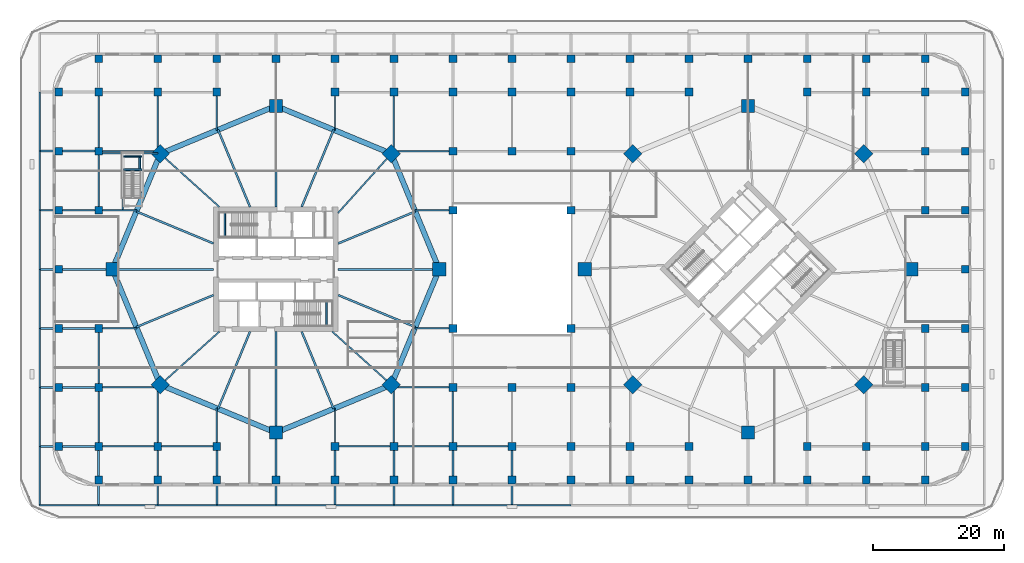
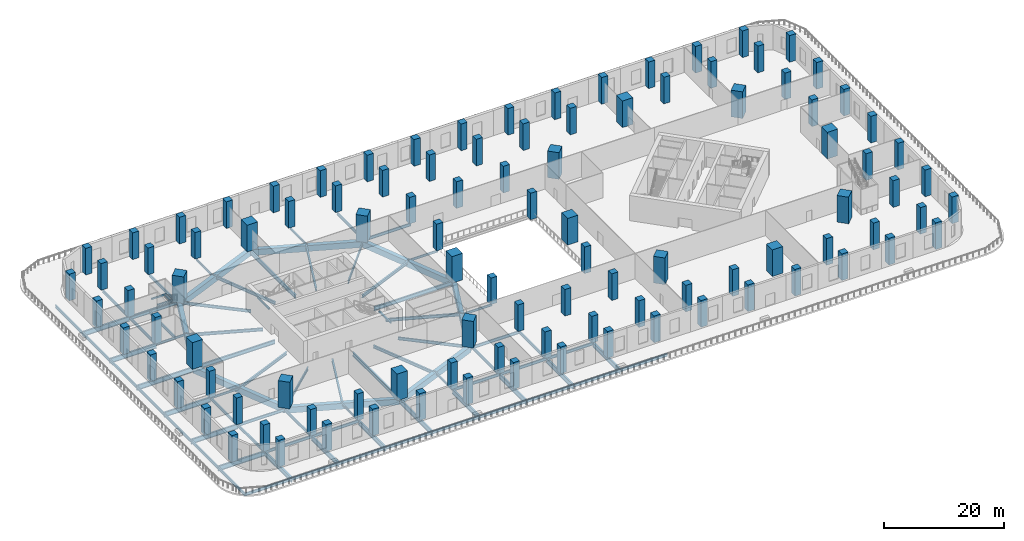
# One storey, part 1 of 20: 104 columns, 87 beams.
"""IFC4 building model written with IfcOpenShell, lengths in metres."""

from ifc_helpers import new_model, si_unit, direction, frame, origin, origin_2d, place, context, subcontext, project, spatial, rectangle, hollow_rectangle, i_section, extrude, material, material_profile, profile_set, type_object, element, save


model = new_model("IFC4")

# Units and contexts
model_context = context("Model", 3, precision=1e-05, world=origin(), true_north=direction((0.0, 1.0)))
body_context = subcontext(model_context, "Body", "Model", "MODEL_VIEW")
ifc_project = project(units=[si_unit("LENGTHUNIT", "METRE"), si_unit("AREAUNIT", "SQUARE_METRE"), si_unit("VOLUMEUNIT", "CUBIC_METRE"), si_unit("PLANEANGLEUNIT", "RADIAN"), si_unit("MASSUNIT", "GRAM", prefix="KILO")], contexts=[model_context])

# Site, building, storey
site_placement = place(None, origin())
site = spatial("IfcSite", under=ifc_project, at=site_placement, CompositionType="ELEMENT")
building_placement = place(site_placement, origin())
building = spatial("IfcBuilding", under=site, at=building_placement, Name="Ogive Gate Towers", CompositionType="ELEMENT")
storey_placement = place(building_placement, frame((0.0, 0.0, 7.199951171875)))
storey = spatial("IfcBuildingStorey", under=building, at=storey_placement, Name="L01", CompositionType="ELEMENT", Elevation=7.199951171875)

# Columns
ifc_material_1 = material(Name="Concrete C50/60", Category="concrete")
ifc_material_profile_1 = material_profile(ifc_material_1, rectangle(XDim=1.199951171875, YDim=1.199951171875, at=origin_2d()), Name="RC 1200x1200")
ifc_profile_set_1 = profile_set([ifc_material_profile_1], Name="Concrete C50/60")
column_type_1 = type_object("IfcColumnType", Name="Column RC 1200x1200", PredefinedType="COLUMN", material=ifc_profile_set_1)
for number, where, z_axis, x_axis, name in (
    (1, (-69.10009765625, -18.0, 0.0), (0.0, 0.0, 1.0), (1.0, 0.0, 0.0), "PD/L01/SCL001"),
    (2, (-69.10009765625, -9.0, 0.0), (0.0, 0.0, 1.0), (1.0, 0.0, 0.0), "PD/L01/SCL002"),
    (3, (-69.10009765625, 0.0, 0.0), (0.0, 0.0, 1.0), (1.0, 0.0, 0.0), "PD/L01/SCL003"),
    (4, (-69.10009765625, 9.0, 0.0), (0.0, 0.0, 1.0), (1.0, 0.0, 0.0), "PD/L01/SCL004"),
    (5, (-69.10009765625, 18.0, 0.0), (0.0, 0.0, 1.0), (1.0, 0.0, 0.0), "PD/L01/SCL005"),
    (6, (-69.095703125, -27.0, 0.0), (0.0, 0.0, 1.0), (1.0, 0.0, 0.0), "PD/L01/SCL006"),
    (7, (-69.095703125, 27.0, 0.0), (0.0, 0.0, 1.0), (1.0, 0.0, 0.0), "PD/L01/SCL007"),
    (8, (-63.0, -32.10009765625, 0.0), (0.0, 0.0, 1.0), (1.0, 0.0, 0.0), "PD/L01/SCL008"),
    (9, (-63.0, -27.0, 0.0), (0.0, 0.0, 1.0), (1.0, 0.0, 0.0), "PD/L01/SCL009"),
    (10, (-63.0, -18.0, 0.0), (0.0, 0.0, 1.0), (1.0, 0.0, 0.0), "PD/L01/SCL010"),
    (11, (-63.0, -9.0, 0.0), (0.0, 0.0, 1.0), (1.0, 0.0, 0.0), "PD/L01/SCL011"),
    (12, (-63.0, 9.0, 0.0), (0.0, 0.0, 1.0), (1.0, 0.0, 0.0), "PD/L01/SCL012"),
    (13, (-63.0, 18.0, 0.0), (0.0, 0.0, 1.0), (1.0, 0.0, 0.0), "PD/L01/SCL013"),
    (14, (-63.0, 27.0, 0.0), (0.0, 0.0, 1.0), (1.0, 0.0, 0.0), "PD/L01/SCL014"),
    (15, (-63.0, 32.10009765625, 0.0), (0.0, 0.0, 1.0), (1.0, 0.0, 0.0), "PD/L01/SCL015"),
    (16, (-54.0, -32.10009765625, 0.0), (0.0, 0.0, 1.0), (1.0, 0.0, 0.0), "PD/L01/SCL016"),
    (17, (-54.0, -27.0, 0.0), (0.0, 0.0, 1.0), (1.0, 0.0, 0.0), "PD/L01/SCL017"),
    (18, (-54.0, 27.0, 0.0), (0.0, 0.0, 1.0), (1.0, 0.0, 0.0), "PD/L01/SCL018"),
    (19, (-54.0, 32.10009765625, 0.0), (0.0, 0.0, 1.0), (1.0, 0.0, 0.0), "PD/L01/SCL019"),
    (20, (-45.0, -32.10009765625, 0.0), (0.0, 0.0, 1.0), (1.0, 0.0, 0.0), "PD/L01/SCL020"),
    (21, (-45.0, -27.0, 0.0), (0.0, 0.0, 1.0), (1.0, 0.0, 0.0), "PD/L01/SCL021"),
    (22, (-45.0, 27.0, 0.0), (0.0, 0.0, 1.0), (1.0, 0.0, 0.0), "PD/L01/SCL022"),
    (23, (-45.0, 32.10009765625, 0.0), (0.0, 0.0, 1.0), (1.0, 0.0, 0.0), "PD/L01/SCL023"),
    (24, (-36.0, -32.10009765625, 0.0), (0.0, 0.0, 1.0), (1.0, 0.0, 0.0), "PD/L01/SCL024"),
    (25, (-36.0, 32.10009765625, 0.0), (0.0, 0.0, 1.0), (1.0, 0.0, 0.0), "PD/L01/SCL025"),
    (26, (-27.0, -32.10009765625, 0.0), (0.0, 0.0, 1.0), (1.0, 0.0, 0.0), "PD/L01/SCL026"),
    (27, (-27.0, -27.0, 0.0), (0.0, 0.0, 1.0), (1.0, 0.0, 0.0), "PD/L01/SCL027"),
    (28, (-27.0, 27.0, 0.0), (0.0, 0.0, 1.0), (1.0, 0.0, 0.0), "PD/L01/SCL028"),
    (29, (-27.0, 32.10009765625, 0.0), (0.0, 0.0, 1.0), (1.0, 0.0, 0.0), "PD/L01/SCL029"),
    (30, (-18.0, -32.10009765625, 0.0), (0.0, 0.0, 1.0), (1.0, 0.0, 0.0), "PD/L01/SCL030"),
    (31, (-18.0, -27.0, 0.0), (0.0, 0.0, 1.0), (1.0, 0.0, 0.0), "PD/L01/SCL031"),
    (32, (-18.0, 27.0, 0.0), (0.0, 0.0, 1.0), (1.0, 0.0, 0.0), "PD/L01/SCL032"),
    (33, (-18.0, 32.10009765625, 0.0), (0.0, 0.0, 1.0), (1.0, 0.0, 0.0), "PD/L01/SCL033"),
    (34, (-9.0, -32.10009765625, 0.0), (0.0, 0.0, 1.0), (1.0, 0.0, 0.0), "PD/L01/SCL034"),
    (35, (-9.0, -27.0, 0.0), (0.0, 0.0, 1.0), (1.0, 0.0, 0.0), "PD/L01/SCL035"),
    (36, (-9.0, -18.0, 0.0), (0.0, 0.0, 1.0), (1.0, 0.0, 0.0), "PD/L01/SCL036"),
    (37, (-9.0, -9.0, 0.0), (0.0, 0.0, 1.0), (1.0, 0.0, 0.0), "PD/L01/SCL037"),
    (38, (-9.0, 9.0, 0.0), (0.0, 0.0, 1.0), (1.0, 0.0, 0.0), "PD/L01/SCL038"),
    (39, (-9.0, 18.0, 0.0), (0.0, 0.0, 1.0), (1.0, 0.0, 0.0), "PD/L01/SCL039"),
    (40, (-9.0, 27.0, 0.0), (0.0, 0.0, 1.0), (1.0, 0.0, 0.0), "PD/L01/SCL040"),
    (41, (-9.0, 32.10009765625, 0.0), (0.0, 0.0, 1.0), (1.0, 0.0, 0.0), "PD/L01/SCL041"),
    (42, (0.0, -32.10009765625, 0.0), (0.0, 0.0, 1.0), (1.0, 0.0, 0.0), "PD/L01/SCL042"),
    (43, (0.0, -27.0, 0.0), (0.0, 0.0, 1.0), (1.0, 0.0, 0.0), "PD/L01/SCL043"),
    (44, (0.0, -18.0, 0.0), (0.0, 0.0, 1.0), (1.0, 0.0, 0.0), "PD/L01/SCL044"),
    (45, (0.0, 18.0, 0.0), (0.0, 0.0, 1.0), (1.0, 0.0, 0.0), "PD/L01/SCL045"),
    (46, (0.0, 27.0, 0.0), (0.0, 0.0, 1.0), (1.0, 0.0, 0.0), "PD/L01/SCL046"),
    (47, (0.0, 32.10009765625, 0.0), (0.0, 0.0, 1.0), (1.0, 0.0, 0.0), "PD/L01/SCL047"),
    (48, (9.0, -32.10009765625, 0.0), (0.0, 0.0, 1.0), (1.0, 0.0, 0.0), "PD/L01/SCL048"),
    (49, (9.0, -27.0, 0.0), (0.0, 0.0, 1.0), (1.0, 0.0, 0.0), "PD/L01/SCL049"),
    (50, (9.0, -18.0, 0.0), (0.0, 0.0, 1.0), (1.0, 0.0, 0.0), "PD/L01/SCL050"),
    (51, (9.0, -9.0, 0.0), (0.0, 0.0, 1.0), (1.0, 0.0, 0.0), "PD/L01/SCL051"),
    (52, (9.0, 9.0, 0.0), (0.0, 0.0, 1.0), (1.0, 0.0, 0.0), "PD/L01/SCL052"),
    (53, (9.0, 18.0, 0.0), (0.0, 0.0, 1.0), (1.0, 0.0, 0.0), "PD/L01/SCL053"),
    (54, (9.0, 27.0, 0.0), (0.0, 0.0, 1.0), (1.0, 0.0, 0.0), "PD/L01/SCL054"),
    (55, (9.0, 32.10009765625, 0.0), (0.0, 0.0, 1.0), (1.0, 0.0, 0.0), "PD/L01/SCL055"),
    (56, (18.0, -32.10009765625, 0.0), (0.0, 0.0, 1.0), (1.0, 0.0, 0.0), "PD/L01/SCL056"),
    (57, (18.0, -27.0, 0.0), (0.0, 0.0, 1.0), (1.0, 0.0, 0.0), "PD/L01/SCL057"),
    (58, (18.0, 27.0, 0.0), (0.0, 0.0, 1.0), (1.0, 0.0, 0.0), "PD/L01/SCL058"),
    (59, (18.0, 32.10009765625, 0.0), (0.0, 0.0, 1.0), (1.0, 0.0, 0.0), "PD/L01/SCL059"),
    (60, (27.0, -32.10009765625, 0.0), (0.0, 0.0, 1.0), (1.0, 0.0, 0.0), "PD/L01/SCL060"),
    (61, (27.0, -27.0, 0.0), (0.0, 0.0, 1.0), (1.0, 0.0, 0.0), "PD/L01/SCL061"),
    (62, (27.0, 27.0, 0.0), (0.0, 0.0, 1.0), (1.0, 0.0, 0.0), "PD/L01/SCL062"),
    (63, (27.0, 32.10009765625, 0.0), (0.0, 0.0, 1.0), (1.0, 0.0, 0.0), "PD/L01/SCL063"),
    (64, (36.0, -32.10009765625, 0.0), (0.0, 0.0, 1.0), (1.0, 0.0, 0.0), "PD/L01/SCL064"),
    (65, (36.0, 32.10009765625, 0.0), (0.0, 0.0, 1.0), (1.0, 0.0, 0.0), "PD/L01/SCL065"),
    (66, (45.0, -32.10009765625, 0.0), (0.0, 0.0, 1.0), (1.0, 0.0, 0.0), "PD/L01/SCL066"),
    (67, (45.0, -27.0, 0.0), (0.0, 0.0, 1.0), (1.0, 0.0, 0.0), "PD/L01/SCL067"),
    (68, (45.0, 27.0, 0.0), (0.0, 0.0, 1.0), (1.0, 0.0, 0.0), "PD/L01/SCL068"),
    (69, (45.0, 32.10009765625, 0.0), (0.0, 0.0, 1.0), (1.0, 0.0, 0.0), "PD/L01/SCL069"),
    (70, (54.0, -32.10009765625, 0.0), (0.0, 0.0, 1.0), (1.0, 0.0, 0.0), "PD/L01/SCL070"),
    (71, (54.0, -27.0, 0.0), (0.0, 0.0, 1.0), (1.0, 0.0, 0.0), "PD/L01/SCL071"),
    (72, (54.0, 27.0, 0.0), (0.0, 0.0, 1.0), (1.0, 0.0, 0.0), "PD/L01/SCL072"),
    (73, (54.0, 32.10009765625, 0.0), (0.0, 0.0, 1.0), (1.0, 0.0, 0.0), "PD/L01/SCL073"),
    (74, (63.0, -32.10009765625, 0.0), (0.0, 0.0, 1.0), (1.0, 0.0, 0.0), "PD/L01/SCL074"),
    (75, (63.0, -27.0, 0.0), (0.0, 0.0, 1.0), (1.0, 0.0, 0.0), "PD/L01/SCL075"),
    (76, (63.0, -18.0, 0.0), (0.0, 0.0, 1.0), (1.0, 0.0, 0.0), "PD/L01/SCL076"),
    (77, (63.0, -9.0, 0.0), (0.0, 0.0, 1.0), (1.0, 0.0, 0.0), "PD/L01/SCL077"),
    (78, (63.0, 9.0, 0.0), (0.0, 0.0, 1.0), (1.0, 0.0, 0.0), "PD/L01/SCL078"),
    (79, (63.0, 18.0, 0.0), (0.0, 0.0, 1.0), (1.0, 0.0, 0.0), "PD/L01/SCL079"),
    (80, (63.0, 27.0, 0.0), (0.0, 0.0, 1.0), (1.0, 0.0, 0.0), "PD/L01/SCL080"),
    (81, (63.0, 32.10009765625, 0.0), (0.0, 0.0, 1.0), (1.0, 0.0, 0.0), "PD/L01/SCL081"),
    (82, (69.095703125, -27.0, 0.0), (0.0, 0.0, 1.0), (1.0, 0.0, 0.0), "PD/L01/SCL082"),
    (83, (69.095703125, 27.0, 0.0), (0.0, 0.0, 1.0), (1.0, 0.0, 0.0), "PD/L01/SCL083"),
    (84, (69.10009765625, -18.0, 0.0), (0.0, 0.0, 1.0), (1.0, 0.0, 0.0), "PD/L01/SCL084"),
    (85, (69.10009765625, -9.0, 0.0), (0.0, 0.0, 1.0), (1.0, 0.0, 0.0), "PD/L01/SCL085"),
    (86, (69.10009765625, 0.0, 0.0), (0.0, 0.0, 1.0), (1.0, 0.0, 0.0), "PD/L01/SCL086"),
    (87, (69.10009765625, 9.0, 0.0), (0.0, 0.0, 1.0), (1.0, 0.0, 0.0), "PD/L01/SCL087"),
    (88, (69.10009765625, 18.0, 0.0), (0.0, 0.0, 1.0), (1.0, 0.0, 0.0), "PD/L01/SCL088"),
):
    element("IfcColumn", number, at=place(storey_placement, frame(where, z_axis=z_axis, x_axis=x_axis)), inside=storey, type_object=column_type_1, Name=name, PredefinedType="COLUMN", context=body_context, shape_type="SweptSolid", body=[
        extrude(rectangle(XDim=1.199951171875, YDim=1.199951171875, at=origin_2d()), origin(), (0.0, 0.0, 1.0), 5.400146484375),
    ])
ifc_material_2 = material(Name="Concrete C70/85", Category="concrete")
ifc_material_profile_2 = material_profile(ifc_material_2, rectangle(XDim=2.0, YDim=2.0, at=origin_2d()), Name="RC 2000x2000")
ifc_profile_set_2 = profile_set([ifc_material_profile_2], Name="Concrete C70/85")
column_type_2 = type_object("IfcColumnType", Name="Mega column 2000 x 2000", PredefinedType="COLUMN", material=ifc_profile_set_2)
for number, where, z_axis, x_axis, name in (
    (89, (-11.090087890625, 0.0, 0.0), (0.0, 0.0, 1.0), (1.0, 0.0, 0.0), "T1/L01/SCL001"),
    (90, (-18.385986328125, 17.614013671875, 0.0), (0.0, 0.0, 1.0), (0.707106781187, 0.707106781187, 0.0), "T1/L01/SCL002"),
    (91, (-36.0, 24.909912109375, 0.0), (0.0, 0.0, 1.0), (0.0, 1.0, 0.0), "T1/L01/SCL003"),
    (92, (-53.614013671875, 17.614013671875, 0.0), (0.0, 0.0, 1.0), (-0.707106781187, 0.707106781187, 0.0), "T1/L01/SCL004"),
    (93, (-60.909912109375, 0.0, 0.0), (0.0, 0.0, 1.0), (-1.0, 0.0, 0.0), "T1/L01/SCL005"),
    (94, (-53.614013671875, -17.614013671875, 0.0), (0.0, 0.0, 1.0), (-0.707106781187, -0.707106781187, 0.0), "T1/L01/SCL006"),
    (95, (-36.0, -24.909912109375, 0.0), (0.0, 0.0, 1.0), (0.0, -1.0, 0.0), "T1/L01/SCL007"),
    (96, (-18.385986328125, -17.614013671875, 0.0), (0.0, 0.0, 1.0), (0.707106781187, -0.707106781187, 0.0), "T1/L01/SCL008"),
    (97, (60.909912109375, 0.0, 0.0), (0.0, 0.0, 1.0), (1.0, 0.0, 0.0), "T2/L01/SCL001"),
    (98, (53.614013671875, 17.614013671875, 0.0), (0.0, 0.0, 1.0), (0.707106781187, 0.707106781187, 0.0), "T2/L01/SCL002"),
    (99, (36.0, 24.909912109375, 0.0), (0.0, 0.0, 1.0), (0.0, 1.0, 0.0), "T2/L01/SCL003"),
    (100, (18.385986328125, 17.614013671875, 0.0), (0.0, 0.0, 1.0), (-0.707106781187, 0.707106781187, 0.0), "T2/L01/SCL004"),
    (101, (11.090087890625, 0.0, 0.0), (0.0, 0.0, 1.0), (-1.0, 0.0, 0.0), "T2/L01/SCL005"),
    (102, (18.385986328125, -17.614013671875, 0.0), (0.0, 0.0, 1.0), (-0.707106781187, -0.707106781187, 0.0), "T2/L01/SCL006"),
    (103, (36.0, -24.909912109375, 0.0), (0.0, 0.0, 1.0), (0.0, -1.0, 0.0), "T2/L01/SCL007"),
    (104, (53.614013671875, -17.614013671875, 0.0), (0.0, 0.0, 1.0), (0.707106781187, -0.707106781187, 0.0), "T2/L01/SCL008"),
):
    element("IfcColumn", number, at=place(storey_placement, frame(where, z_axis=z_axis, x_axis=x_axis)), inside=storey, type_object=column_type_2, Name=name, PredefinedType="COLUMN", context=body_context, shape_type="SweptSolid", body=[
        extrude(rectangle(XDim=2.0, YDim=2.0, at=origin_2d()), origin(), (0.0, 0.0, 1.0), 5.400146484375),
    ])

# Beams
ifc_material_3 = material(Name="Steel SM460", Category="steel")
ifc_material_profile_3 = material_profile(ifc_material_3, hollow_rectangle(XDim=0.800048828125, YDim=1.199951171875, WallThickness=0.050048828125, at=origin_2d()), Name="BX 1200x800x50")
ifc_profile_set_3 = profile_set([ifc_material_profile_3], Name="Steel SM460")
beam_type_1 = type_object("IfcBeamType", Name="Edge girder BX 1200x800x50", PredefinedType="BEAM", material=ifc_profile_set_3)
for number, where, z_axis, x_axis, name in (
    (105, (-53.614013671875, -17.614013671875, -0.89990234375), (0.923880736283, -0.382680526191, 0.0), (0.382680526191, 0.923880736283, 0.0), "T1/L01/SBM017"),
    (106, (-36.0, -24.909912109375, -0.89990234375), (0.923880736283, 0.382680526191, 0.0), (-0.382680526191, 0.923880736283, 0.0), "T1/L01/SBM018"),
    (107, (-18.385986328125, -17.614013671875, -0.89990234375), (0.382680526191, 0.923880736283, 0.0), (-0.923880736283, 0.382680526191, 0.0), "T1/L01/SBM019"),
    (108, (-11.090087890625, 0.0, -0.89990234375), (-0.382680526191, 0.923880736283, 0.0), (-0.923880736283, -0.382680526191, 0.0), "T1/L01/SBM020"),
    (109, (-18.385986328125, 17.614013671875, -0.89990234375), (-0.923880736283, 0.382680526191, 0.0), (-0.382680526191, -0.923880736283, 0.0), "T1/L01/SBM021"),
    (110, (-36.0, 24.909912109375, -0.89990234375), (-0.923880736283, -0.382680526191, 0.0), (0.382680526191, -0.923880736283, 0.0), "T1/L01/SBM022"),
    (111, (-53.614013671875, 17.614013671875, -0.89990234375), (-0.382680526191, -0.923880736283, 0.0), (0.923880736283, -0.382680526191, 0.0), "T1/L01/SBM023"),
    (112, (-60.909912109375, 0.0, -0.89990234375), (0.382680526191, -0.923880736283, 0.0), (0.923880736283, 0.382680526191, 0.0), "T1/L01/SBM024"),
):
    element("IfcBeam", number, at=place(storey_placement, frame(where, z_axis=z_axis, x_axis=x_axis)), inside=storey, type_object=beam_type_1, Name=name, PredefinedType="BEAM", context=body_context, shape_type="SweptSolid", body=[
        extrude(hollow_rectangle(XDim=0.800048828125, YDim=1.199951171875, WallThickness=0.050048828125, at=origin_2d()), origin(), (0.0, 0.0, 1.0), 19.065185546875),
    ])
ifc_material_4 = material(Name="Steel SM355", Category="steel")
ifc_material_profile_4 = material_profile(ifc_material_4, i_section(OverallWidth=0.18994140625, OverallDepth=0.449951171875, WebThickness=0.009521484375, FlangeThickness=0.0146484375, FilletRadius=0.02099609375, at=origin_2d()), Name="IPE 450")
ifc_profile_set_4 = profile_set([ifc_material_profile_4], Name="Steel SM355")
beam_type_2 = type_object("IfcBeamType", Name="Floor beam IPE 450", PredefinedType="BEAM", material=ifc_profile_set_4)
for number, where, z_axis, x_axis, name in (
    (113, (-63.0, -9.0, -0.52490234375), (1.0, 0.0, 0.0), (0.0, 1.0, 0.0), "PD/L01/SBM151"),
    (114, (-63.0, 9.0, -0.52490234375), (1.0, 0.0, 0.0), (0.0, 1.0, 0.0), "PD/L01/SBM152"),
    (115, (-45.0, -27.0, -0.52490234375), (0.0, 1.0, 0.0), (-1.0, 0.0, 0.0), "PD/L01/SBM153"),
    (116, (-45.0, 27.0, -0.52490234375), (0.0, -1.0, 0.0), (1.0, 0.0, 0.0), "PD/L01/SBM154"),
    (117, (-27.0, -27.0, -0.52490234375), (0.0, 1.0, 0.0), (-1.0, 0.0, 0.0), "PD/L01/SBM155"),
    (118, (-27.0, 27.0, -0.52490234375), (0.0, -1.0, 0.0), (1.0, 0.0, 0.0), "PD/L01/SBM156"),
    (119, (-9.0, -9.0, -0.52490234375), (-1.0, 0.0, 0.0), (0.0, -1.0, 0.0), "PD/L01/SBM157"),
    (120, (-9.0, 9.0, -0.52490234375), (-1.0, 0.0, 0.0), (0.0, -1.0, 0.0), "PD/L01/SBM158"),
):
    element("IfcBeam", number, at=place(storey_placement, frame(where, z_axis=z_axis, x_axis=x_axis)), inside=storey, type_object=beam_type_2, Name=name, PredefinedType="BEAM", context=body_context, shape_type="SweptSolid", body=[
        extrude(i_section(OverallWidth=0.18994140625, OverallDepth=0.449951171875, WebThickness=0.009521484375, FlangeThickness=0.0146484375, FilletRadius=0.02099609375, at=origin_2d()), origin(), (0.0, 0.0, 1.0), 5.81787109375),
    ])
ifc_material_profile_5 = material_profile(ifc_material_4, i_section(OverallWidth=0.219970703125, OverallDepth=0.60009765625, WebThickness=0.011962890625, FlangeThickness=0.01904296875, FilletRadius=0.02392578125, at=origin_2d()), Name="IPE 600")
ifc_profile_set_5 = profile_set([ifc_material_profile_5], Name="Steel SM355")
beam_type_3 = type_object("IfcBeamType", Name="Floor beam IPE 600", PredefinedType="BEAM", material=ifc_profile_set_5)
for number, where, z_axis, x_axis, name in (
    (121, (-72.0, -36.0, -0.599853515625), (0.0, 1.0, 0.0), (-1.0, 0.0, 0.0), "PD/L01/SBM045"),
    (122, (-72.0, -27.0, -0.599853515625), (0.0, 1.0, 0.0), (-1.0, 0.0, 0.0), "PD/L01/SBM046"),
    (123, (-72.0, -18.0, -0.599853515625), (0.0, 1.0, 0.0), (-1.0, 0.0, 0.0), "PD/L01/SBM047"),
    (124, (-72.0, -9.0, -0.599853515625), (0.0, 1.0, 0.0), (-1.0, 0.0, 0.0), "PD/L01/SBM048"),
    (125, (-72.0, 0.0, -0.599853515625), (0.0, 1.0, 0.0), (-1.0, 0.0, 0.0), "PD/L01/SBM049"),
    (126, (-72.0, 9.0, -0.599853515625), (0.0, 1.0, 0.0), (-1.0, 0.0, 0.0), "PD/L01/SBM050"),
    (127, (-72.0, 18.0, -0.599853515625), (0.0, 1.0, 0.0), (-1.0, 0.0, 0.0), "PD/L01/SBM051"),
    (128, (-63.0, -27.0, -0.599853515625), (0.0, 1.0, 0.0), (-1.0, 0.0, 0.0), "PD/L01/SBM053"),
    (129, (-63.0, -18.0, -0.599853515625), (0.0, 1.0, 0.0), (-1.0, 0.0, 0.0), "PD/L01/SBM054"),
    (130, (-63.0, 9.0, -0.599853515625), (0.0, 1.0, 0.0), (-1.0, 0.0, 0.0), "PD/L01/SBM055"),
    (131, (-63.0, 18.0, -0.599853515625), (0.0, 1.0, 0.0), (-1.0, 0.0, 0.0), "PD/L01/SBM056"),
):
    element("IfcBeam", number, at=place(storey_placement, frame(where, z_axis=z_axis, x_axis=x_axis)), inside=storey, type_object=beam_type_3, Name=name, PredefinedType="BEAM", context=body_context, shape_type="SweptSolid", body=[
        extrude(i_section(OverallWidth=0.219970703125, OverallDepth=0.60009765625, WebThickness=0.011962890625, FlangeThickness=0.01904296875, FilletRadius=0.02392578125, at=origin_2d()), origin(), (0.0, 0.0, 1.0), 9.0),
    ])
for number, where, z_axis, x_axis, name in (
    (132, (-54.0, -27.0, -0.599853515625), (0.0, 1.0, 0.0), (-1.0, 0.0, 0.0), "PD/L01/SBM057"),
    (133, (-54.0, 17.614013671875, -0.599853515625), (0.0, 1.0, 0.0), (-1.0, 0.0, 0.0), "PD/L01/SBM058"),
    (134, (-18.0, -27.0, -0.599853515625), (0.0, 1.0, 0.0), (-1.0, 0.0, 0.0), "PD/L01/SBM059"),
    (135, (-18.0, 17.614013671875, -0.599853515625), (0.0, 1.0, 0.0), (-1.0, 0.0, 0.0), "PD/L01/SBM060"),
):
    element("IfcBeam", number, at=place(storey_placement, frame(where, z_axis=z_axis, x_axis=x_axis)), inside=storey, type_object=beam_type_3, Name=name, PredefinedType="BEAM", context=body_context, shape_type="SweptSolid", body=[
        extrude(i_section(OverallWidth=0.219970703125, OverallDepth=0.60009765625, WebThickness=0.011962890625, FlangeThickness=0.01904296875, FilletRadius=0.02392578125, at=origin_2d()), origin(), (0.0, 0.0, 1.0), 9.385986328125),
    ])
for number, where, z_axis, x_axis, name in (
    (136, (-9.0, -27.0, -0.599853515625), (0.0, 1.0, 0.0), (-1.0, 0.0, 0.0), "PD/L01/SBM061"),
    (137, (-72.0, -36.0, -0.599853515625), (1.0, 0.0, 0.0), (0.0, 1.0, 0.0), "PD/L01/SBM087"),
    (138, (-63.0, -36.0, -0.599853515625), (1.0, 0.0, 0.0), (0.0, 1.0, 0.0), "PD/L01/SBM088"),
    (139, (-54.0, -36.0, -0.599853515625), (1.0, 0.0, 0.0), (0.0, 1.0, 0.0), "PD/L01/SBM089"),
    (140, (-45.0, -36.0, -0.599853515625), (1.0, 0.0, 0.0), (0.0, 1.0, 0.0), "PD/L01/SBM090"),
    (141, (-36.0, -36.0, -0.599853515625), (1.0, 0.0, 0.0), (0.0, 1.0, 0.0), "PD/L01/SBM091"),
    (142, (-27.0, -36.0, -0.599853515625), (1.0, 0.0, 0.0), (0.0, 1.0, 0.0), "PD/L01/SBM092"),
    (143, (-18.0, -36.0, -0.599853515625), (1.0, 0.0, 0.0), (0.0, 1.0, 0.0), "PD/L01/SBM093"),
    (144, (-9.0, -36.0, -0.599853515625), (1.0, 0.0, 0.0), (0.0, 1.0, 0.0), "PD/L01/SBM094"),
    (145, (0.0, -36.0, -0.599853515625), (1.0, 0.0, 0.0), (0.0, 1.0, 0.0), "PD/L01/SBM095"),
    (146, (-63.0, -27.0, -0.599853515625), (1.0, 0.0, 0.0), (0.0, 1.0, 0.0), "PD/L01/SBM103"),
    (147, (-54.0, -27.0, -0.599853515625), (1.0, 0.0, 0.0), (0.0, 1.0, 0.0), "PD/L01/SBM104"),
    (148, (-27.0, -27.0, -0.599853515625), (1.0, 0.0, 0.0), (0.0, 1.0, 0.0), "PD/L01/SBM105"),
    (149, (-18.0, -27.0, -0.599853515625), (1.0, 0.0, 0.0), (0.0, 1.0, 0.0), "PD/L01/SBM106"),
    (150, (-9.0, -27.0, -0.599853515625), (1.0, 0.0, 0.0), (0.0, 1.0, 0.0), "PD/L01/SBM107"),
):
    element("IfcBeam", number, at=place(storey_placement, frame(where, z_axis=z_axis, x_axis=x_axis)), inside=storey, type_object=beam_type_3, Name=name, PredefinedType="BEAM", context=body_context, shape_type="SweptSolid", body=[
        extrude(i_section(OverallWidth=0.219970703125, OverallDepth=0.60009765625, WebThickness=0.011962890625, FlangeThickness=0.01904296875, FilletRadius=0.02392578125, at=origin_2d()), origin(), (0.0, 0.0, 1.0), 9.0),
    ])
for number, where, z_axis, x_axis, name in (
    (151, (-63.0, -18.0, -0.599853515625), (1.0, 0.0, 0.0), (0.0, 1.0, 0.0), "PD/L01/SBM113"),
    (152, (-18.385986328125, -18.0, -0.599853515625), (1.0, 0.0, 0.0), (0.0, 1.0, 0.0), "PD/L01/SBM114"),
    (153, (-63.0, 18.0, -0.599853515625), (1.0, 0.0, 0.0), (0.0, 1.0, 0.0), "PD/L01/SBM119"),
    (154, (-18.385986328125, 18.0, -0.599853515625), (1.0, 0.0, 0.0), (0.0, 1.0, 0.0), "PD/L01/SBM120"),
):
    element("IfcBeam", number, at=place(storey_placement, frame(where, z_axis=z_axis, x_axis=x_axis)), inside=storey, type_object=beam_type_3, Name=name, PredefinedType="BEAM", context=body_context, shape_type="SweptSolid", body=[
        extrude(i_section(OverallWidth=0.219970703125, OverallDepth=0.60009765625, WebThickness=0.011962890625, FlangeThickness=0.01904296875, FilletRadius=0.02392578125, at=origin_2d()), origin(), (0.0, 0.0, 1.0), 9.385986328125),
    ])
for number, where, z_axis, x_axis, name in (
    (155, (-63.0, 17.719970703125, -0.599853515625), (1.0, 0.0, 0.0), (0.0, 1.0, 0.0), "PD/L01/SBM169"),
    (156, (-59.35009765625, 9.0, -0.599853515625), (0.0, 1.0, 0.0), (-1.0, 0.0, 0.0), "PD/L01/SBM170"),
):
    element("IfcBeam", number, at=place(storey_placement, frame(where, z_axis=z_axis, x_axis=x_axis)), inside=storey, type_object=beam_type_3, Name=name, PredefinedType="BEAM", context=body_context, shape_type="SweptSolid", body=[
        extrude(i_section(OverallWidth=0.219970703125, OverallDepth=0.60009765625, WebThickness=0.011962890625, FlangeThickness=0.01904296875, FilletRadius=0.02392578125, at=origin_2d()), origin(), (0.0, 0.0, 1.0), 9.0),
    ])
ifc_material_5 = material(Name="Concrete C40/50", Category="concrete")
ifc_material_profile_6 = material_profile(ifc_material_5, rectangle(XDim=0.25, YDim=0.300048828125, at=origin_2d()), Name="RC 250x300")
ifc_profile_set_6 = profile_set([ifc_material_profile_6], Name="Concrete C40/50")
beam_type_4 = type_object("IfcBeamType", Name="Landing bearer RC 250x300", PredefinedType="BEAM", material=ifc_profile_set_6)
for number, where, z_axis, x_axis, name in (
    (157, (-43.742431640625, 8.699951171875, 2.35009765625), (0.0, -1.0, 0.0), (1.0, 0.0, 0.0), "T1 L01 stair 1 landing bearer 1"),
    (158, (-28.257568359375, -8.699951171875, 2.35009765625), (0.0, 1.0, 0.0), (-1.0, 0.0, 0.0), "T1 L01 stair 2 landing bearer 1"),
):
    element("IfcBeam", number, at=place(storey_placement, frame(where, z_axis=z_axis, x_axis=x_axis)), inside=storey, type_object=beam_type_4, Name=name, PredefinedType="BEAM", context=body_context, shape_type="SweptSolid", body=[
        extrude(rectangle(XDim=0.25, YDim=0.300048828125, at=origin_2d()), origin(), (0.0, 0.0, 1.0), 3.824951171875),
    ])
ifc_material_profile_7 = material_profile(ifc_material_5, rectangle(XDim=0.25, YDim=0.300048828125, at=origin_2d()), Name="RC 250x300")
ifc_profile_set_7 = profile_set([ifc_material_profile_7], Name="Concrete C40/50")
beam_type_5 = type_object("IfcBeamType", Name="Landing bearer RC 250x300 (stair)", PredefinedType="BEAM", material=ifc_profile_set_7)
for number, where, z_axis, x_axis, name in (
    (159, (-56.39990234375, 15.169921875, 2.35009765625), (-1.0, 0.0, 0.0), (0.0, -1.0, 0.0), "PS1 L01 landing 1 bearer 1"),
    (160, (-56.39990234375, 17.169921875, 2.35009765625), (-1.0, 0.0, 0.0), (0.0, -1.0, 0.0), "PS1 L01 landing 1 bearer 2"),
):
    element("IfcBeam", number, at=place(storey_placement, frame(where, z_axis=z_axis, x_axis=x_axis)), inside=storey, type_object=beam_type_5, Name=name, PredefinedType="BEAM", context=body_context, shape_type="SweptSolid", body=[
        extrude(rectangle(XDim=0.25, YDim=0.300048828125, at=origin_2d()), origin(), (0.0, 0.0, 1.0), 2.85009765625),
    ])
beam_1_placement = place(storey_placement, frame((-56.75, 15.294921875, 2.35009765625), z_axis=(0.0, 1.0, 0.0), x_axis=(-1.0, 0.0, 0.0)))
element("IfcBeam", 161, at=beam_1_placement, inside=storey, type_object=beam_type_5, Name="PS1 L01 landing 1 bearer 3", PredefinedType="BEAM", context=body_context, shape_type="SweptSolid", body=[
    extrude(rectangle(XDim=0.25, YDim=0.300048828125, at=origin_2d()), origin(), (0.0, 0.0, 1.0), 1.75),
])
ifc_material_profile_8 = material_profile(ifc_material_4, i_section(OverallWidth=0.300048828125, OverallDepth=0.590087890625, WebThickness=0.012939453125, FlangeThickness=0.02490234375, FilletRadius=0.027099609375, at=origin_2d()), Name="HE 600 A")
ifc_profile_set_8 = profile_set([ifc_material_profile_8], Name="Steel SM355")
beam_type_6 = type_object("IfcBeamType", Name="Radial floor beam HE 600 A", PredefinedType="BEAM", material=ifc_profile_set_8)
for number, where, z_axis, x_axis, name in (
    (162, (-39.93505859375, -9.5, -0.594970703125), (-0.382690523214, -0.923876595354, 0.0), (0.923876595354, -0.382690523214, 0.0), "T1/L01/SBM002"),
    (163, (-32.06494140625, -9.5, -0.594970703125), (0.382690523214, -0.923876595354, 0.0), (0.923876595354, 0.382690523214, 0.0), "T1/L01/SBM004"),
    (164, (-26.5, -3.93505859375, -0.594970703125), (0.923876595354, -0.382690523214, 0.0), (0.382690523214, 0.923876595354, 0.0), "T1/L01/SBM006"),
    (165, (-26.5, 3.93505859375, -0.594970703125), (0.923876595354, 0.382690523214, 0.0), (-0.382690523214, 0.923876595354, 0.0), "T1/L01/SBM008"),
    (166, (-32.06494140625, 9.5, -0.594970703125), (0.382690523214, 0.923876595354, 0.0), (-0.923876595354, 0.382690523214, 0.0), "T1/L01/SBM010"),
    (167, (-39.93505859375, 9.5, -0.594970703125), (-0.382690523214, 0.923876595354, 0.0), (-0.923876595354, -0.382690523214, 0.0), "T1/L01/SBM012"),
    (168, (-45.5, 3.93505859375, -0.594970703125), (-0.923876595354, 0.382690523214, 0.0), (-0.382690523214, -0.923876595354, 0.0), "T1/L01/SBM014"),
    (169, (-45.5, -3.93505859375, -0.594970703125), (-0.923876595354, -0.382690523214, 0.0), (0.382690523214, -0.923876595354, 0.0), "T1/L01/SBM016"),
):
    element("IfcBeam", number, at=place(storey_placement, frame(where, z_axis=z_axis, x_axis=x_axis)), inside=storey, type_object=beam_type_6, Name=name, PredefinedType="BEAM", context=body_context, shape_type="SweptSolid", body=[
        extrude(i_section(OverallWidth=0.300048828125, OverallDepth=0.590087890625, WebThickness=0.012939453125, FlangeThickness=0.02490234375, FilletRadius=0.027099609375, at=origin_2d()), origin(), (0.0, 0.0, 1.0), 12.731201171875),
    ])
ifc_material_profile_9 = material_profile(ifc_material_4, i_section(OverallWidth=0.300048828125, OverallDepth=0.7900390625, WebThickness=0.014892578125, FlangeThickness=0.028076171875, FilletRadius=0.030029296875, at=origin_2d()), Name="HE 800 A")
ifc_profile_set_9 = profile_set([ifc_material_profile_9], Name="Steel SM355")
beam_type_7 = type_object("IfcBeamType", Name="Radial floor beam HE 800 A", PredefinedType="BEAM", material=ifc_profile_set_9)
for number, where, z_axis, x_axis, name in (
    (170, (-36.0, -9.5, -0.695068359375), (0.0, -1.0, 0.0), (1.0, 0.0, 0.0), "T1/L01/SBM003"),
    (171, (-26.5, 0.0, -0.695068359375), (1.0, 0.0, 0.0), (0.0, 1.0, 0.0), "T1/L01/SBM007"),
    (172, (-36.0, 9.5, -0.695068359375), (0.0, 1.0, 0.0), (-1.0, 0.0, 0.0), "T1/L01/SBM011"),
    (173, (-45.5, 0.0, -0.695068359375), (-1.0, 0.0, 0.0), (0.0, -1.0, 0.0), "T1/L01/SBM015"),
):
    element("IfcBeam", number, at=place(storey_placement, frame(where, z_axis=z_axis, x_axis=x_axis)), inside=storey, type_object=beam_type_7, Name=name, PredefinedType="BEAM", context=body_context, shape_type="SweptSolid", body=[
        extrude(i_section(OverallWidth=0.300048828125, OverallDepth=0.7900390625, WebThickness=0.014892578125, FlangeThickness=0.028076171875, FilletRadius=0.030029296875, at=origin_2d()), origin(), (0.0, 0.0, 1.0), 15.409912109375),
    ])
ifc_material_profile_10 = material_profile(ifc_material_4, i_section(OverallWidth=0.219970703125, OverallDepth=0.60009765625, WebThickness=0.011962890625, FlangeThickness=0.01904296875, FilletRadius=0.02392578125, at=origin_2d()), Name="IPE 600")
ifc_profile_set_10 = profile_set([ifc_material_profile_10], Name="Steel SM355")
beam_type_8 = type_object("IfcBeamType", Name="Radial floor beam IPE 600", PredefinedType="BEAM", material=ifc_profile_set_10)
for number, where, z_axis, x_axis, name in (
    (174, (-44.60009765625, -9.5, -0.599853515625), (-0.743233084761, -0.669032571491, 0.0), (0.669032571491, -0.743233084761, 0.0), "T1/L01/SBM001"),
    (175, (-27.39990234375, -9.5, -0.599853515625), (0.743233084761, -0.669032571491, 0.0), (0.669032571491, 0.743233084761, 0.0), "T1/L01/SBM005"),
    (176, (-26.5, 8.60009765625, -0.599853515625), (0.669032571491, 0.743233084761, 0.0), (-0.743233084761, 0.669032571491, 0.0), "T1/L01/SBM009"),
    (177, (-44.60009765625, 9.5, -0.599853515625), (-0.743233084761, 0.669032571491, 0.0), (-0.669032571491, -0.743233084761, 0.0), "T1/L01/SBM013"),
):
    element("IfcBeam", number, at=place(storey_placement, frame(where, z_axis=z_axis, x_axis=x_axis)), inside=storey, type_object=beam_type_8, Name=name, PredefinedType="BEAM", context=body_context, shape_type="SweptSolid", body=[
        extrude(i_section(OverallWidth=0.219970703125, OverallDepth=0.60009765625, WebThickness=0.011962890625, FlangeThickness=0.01904296875, FilletRadius=0.02392578125, at=origin_2d()), origin(), (0.0, 0.0, 1.0), 12.1279296875),
    ])
ifc_material_profile_11 = material_profile(ifc_material_3, i_section(OverallWidth=0.300048828125, OverallDepth=0.989990234375, WebThickness=0.0166015625, FlangeThickness=0.031005859375, FilletRadius=0.030029296875, at=origin_2d()), Name="HE 1000 A")
ifc_profile_set_11 = profile_set([ifc_material_profile_11], Name="Steel SM460")
beam_type_9 = type_object("IfcBeamType", Name="Transfer girder HE 1000 A", PredefinedType="BEAM", material=ifc_profile_set_11)
for number, where, z_axis, x_axis, name in (
    (178, (-63.0, -36.0, -0.794921875), (0.0, 1.0, 0.0), (-1.0, 0.0, 0.0), "PD/L01/SBM001"),
    (179, (-54.0, -36.0, -0.794921875), (0.0, 1.0, 0.0), (-1.0, 0.0, 0.0), "PD/L01/SBM003"),
    (180, (-45.0, -36.0, -0.794921875), (0.0, 1.0, 0.0), (-1.0, 0.0, 0.0), "PD/L01/SBM005"),
):
    element("IfcBeam", number, at=place(storey_placement, frame(where, z_axis=z_axis, x_axis=x_axis)), inside=storey, type_object=beam_type_9, Name=name, PredefinedType="BEAM", context=body_context, shape_type="SweptSolid", body=[
        extrude(i_section(OverallWidth=0.300048828125, OverallDepth=0.989990234375, WebThickness=0.0166015625, FlangeThickness=0.031005859375, FilletRadius=0.030029296875, at=origin_2d()), origin(), (0.0, 0.0, 1.0), 9.0),
    ])
beam_2_placement = place(storey_placement, frame((-36.0, -36.0, -0.794921875), z_axis=(0.0, 1.0, 0.0), x_axis=(-1.0, 0.0, 0.0)))
element("IfcBeam", 181, at=beam_2_placement, inside=storey, type_object=beam_type_9, Name="PD/L01/SBM007", PredefinedType="BEAM", context=body_context, shape_type="SweptSolid", body=[
    extrude(i_section(OverallWidth=0.300048828125, OverallDepth=0.989990234375, WebThickness=0.0166015625, FlangeThickness=0.031005859375, FilletRadius=0.030029296875, at=origin_2d()), origin(), (0.0, 0.0, 1.0), 11.090087890625),
])
for number, where, z_axis, x_axis, name in (
    (182, (-27.0, -36.0, -0.794921875), (0.0, 1.0, 0.0), (-1.0, 0.0, 0.0), "PD/L01/SBM009"),
    (183, (-18.0, -36.0, -0.794921875), (0.0, 1.0, 0.0), (-1.0, 0.0, 0.0), "PD/L01/SBM011"),
    (184, (-9.0, -36.0, -0.794921875), (0.0, 1.0, 0.0), (-1.0, 0.0, 0.0), "PD/L01/SBM013"),
    (185, (0.0, -36.0, -0.794921875), (0.0, 1.0, 0.0), (-1.0, 0.0, 0.0), "PD/L01/SBM015"),
    (186, (-72.0, -27.0, -0.794921875), (1.0, 0.0, 0.0), (0.0, 1.0, 0.0), "PD/L01/SBM031"),
    (187, (-72.0, -18.0, -0.794921875), (1.0, 0.0, 0.0), (0.0, 1.0, 0.0), "PD/L01/SBM033"),
    (188, (-72.0, -9.0, -0.794921875), (1.0, 0.0, 0.0), (0.0, 1.0, 0.0), "PD/L01/SBM035"),
):
    element("IfcBeam", number, at=place(storey_placement, frame(where, z_axis=z_axis, x_axis=x_axis)), inside=storey, type_object=beam_type_9, Name=name, PredefinedType="BEAM", context=body_context, shape_type="SweptSolid", body=[
        extrude(i_section(OverallWidth=0.300048828125, OverallDepth=0.989990234375, WebThickness=0.0166015625, FlangeThickness=0.031005859375, FilletRadius=0.030029296875, at=origin_2d()), origin(), (0.0, 0.0, 1.0), 9.0),
    ])
beam_3_placement = place(storey_placement, frame((-72.0, 0.0, -0.794921875), z_axis=(1.0, 0.0, 0.0), x_axis=(0.0, 1.0, 0.0)))
element("IfcBeam", 189, at=beam_3_placement, inside=storey, type_object=beam_type_9, Name="PD/L01/SBM037", PredefinedType="BEAM", context=body_context, shape_type="SweptSolid", body=[
    extrude(i_section(OverallWidth=0.300048828125, OverallDepth=0.989990234375, WebThickness=0.0166015625, FlangeThickness=0.031005859375, FilletRadius=0.030029296875, at=origin_2d()), origin(), (0.0, 0.0, 1.0), 11.090087890625),
])
for number, where, z_axis, x_axis, name in (
    (190, (-72.0, 9.0, -0.794921875), (1.0, 0.0, 0.0), (0.0, 1.0, 0.0), "PD/L01/SBM039"),
    (191, (-72.0, 18.0, -0.794921875), (1.0, 0.0, 0.0), (0.0, 1.0, 0.0), "PD/L01/SBM041"),
):
    element("IfcBeam", number, at=place(storey_placement, frame(where, z_axis=z_axis, x_axis=x_axis)), inside=storey, type_object=beam_type_9, Name=name, PredefinedType="BEAM", context=body_context, shape_type="SweptSolid", body=[
        extrude(i_section(OverallWidth=0.300048828125, OverallDepth=0.989990234375, WebThickness=0.0166015625, FlangeThickness=0.031005859375, FilletRadius=0.030029296875, at=origin_2d()), origin(), (0.0, 0.0, 1.0), 9.0),
    ])

save(model, "model.ifc")
